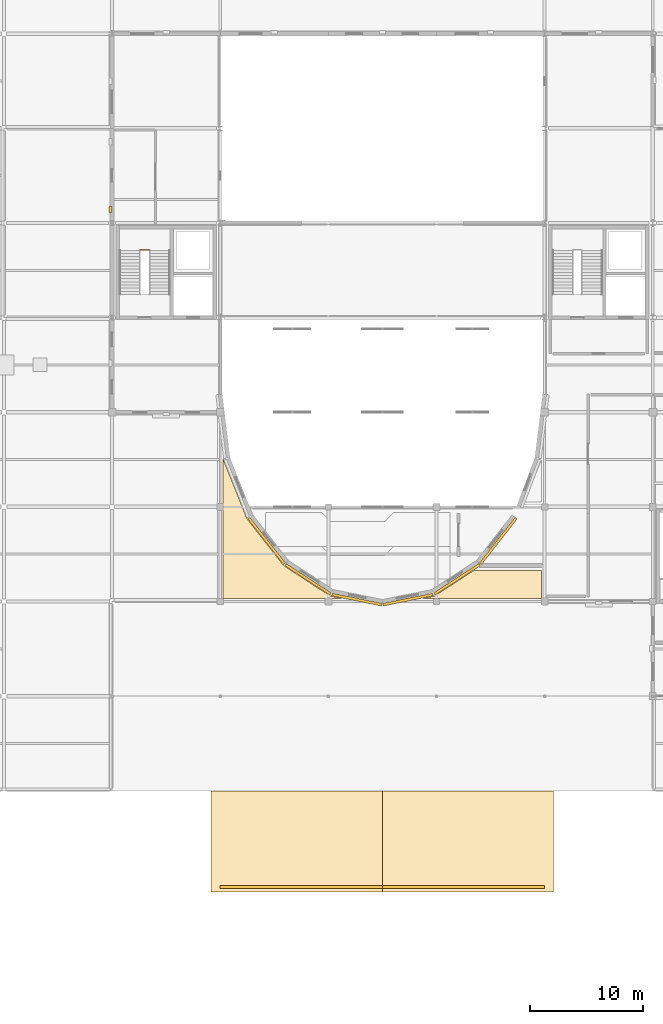
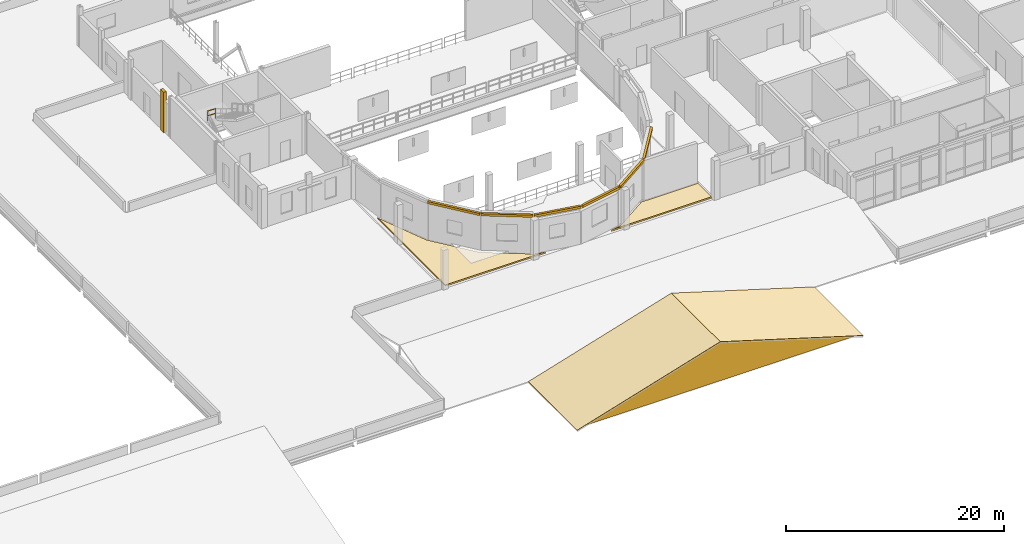
# One storey, part 49 of 52: 12 coverings, 1 railing.
"""IFC4 building model written with IfcOpenShell, lengths in metres."""

import ifcopenshell
import ifcopenshell.guid

model = None  # the IFC model being written
_history = None  # IfcOwnerHistory: only IFC2X3 demands one
_inside = {}  # id of a spatial element -> (the spatial element, [elements in it])
_under = {}  # id of a project, library or spatial element -> (it, [spatial elements below it])
_declared = {}  # id of a project -> (the project, [libraries it declares])
_typed = {}  # id of a type object -> (the type object, [elements of that type])
_made_of = {}  # id of a material, layer set ... -> (it, [elements and type objects made of it])


def new_model(schema):
    """Start an empty IFC model of exactly this schema.

    Asked for "IFC4X3", IfcOpenShell would pick the latest addendum, in which some entities
    have other attributes; the version numbers below select the first issue.
    IFC2X3 requires an IfcOwnerHistory on every rooted entity: one is made here for all.
    """
    global model, _history
    if schema == "IFC4X3":
        model = ifcopenshell.file(schema_version=(4, 3, 0, 0))
    else:
        model = ifcopenshell.file(schema=schema)
    _inside.clear()
    _under.clear()
    _declared.clear()
    _typed.clear()
    _made_of.clear()
    _history = None
    if model.schema == "IFC2X3":
        org = make("IfcOrganization", Name="unknown")
        user = make(
            "IfcPersonAndOrganization",
            ThePerson=make("IfcPerson", FamilyName="unknown"),
            TheOrganization=org,
        )
        app = make(
            "IfcApplication",
            ApplicationDeveloper=org,
            Version="unknown",
            ApplicationFullName="unknown",
            ApplicationIdentifier="unknown",
        )
        _history = make(
            "IfcOwnerHistory",
            OwningUser=user,
            OwningApplication=app,
            ChangeAction="ADDED",
            CreationDate=0,
        )
    return model


def make(cls, **values):
    """One entity of the class cls with the attributes given. An attribute that is None is left unset."""
    return model.create_entity(
        cls, **{name: value for name, value in values.items() if value is not None}
    )


def rooted(cls, **values):
    """An entity with a GlobalId (a new one), such as an element, a storey or a relation."""
    return make(cls, GlobalId=ifcopenshell.guid.new(), OwnerHistory=_history, **values)


def si_unit(unit_type, name, prefix=None):
    """IfcSIUnit, for example si_unit("LENGTHUNIT", "METRE", prefix="MILLI")."""
    return make("IfcSIUnit", UnitType=unit_type, Prefix=prefix, Name=name)


def assignment(units):
    """IfcUnitAssignment: the units of a project."""
    return None if units is None else make("IfcUnitAssignment", Units=units)


def point(xyz):
    """IfcCartesianPoint."""
    return None if xyz is None else make("IfcCartesianPoint", Coordinates=xyz)


def direction(xyz):
    """IfcDirection."""
    return None if xyz is None else make("IfcDirection", DirectionRatios=xyz)


def frame(location, z_axis=None, x_axis=None):
    """IfcAxis2Placement3D, a coordinate frame: its origin and axes. An axis left out is left unset."""
    return make(
        "IfcAxis2Placement3D",
        Location=point(location),
        Axis=direction(z_axis),
        RefDirection=direction(x_axis),
    )


def frame_2d(location, x_axis=None):
    """IfcAxis2Placement2D, a coordinate frame in the plane: its origin and x axis."""
    return make(
        "IfcAxis2Placement2D", Location=point(location), RefDirection=direction(x_axis)
    )


def origin():
    """The frame at (0, 0, 0) with its axes left unset."""
    return frame((0.0, 0.0, 0.0))


def origin_2d():
    """The frame at (0, 0) in the plane with its x axis left unset."""
    return frame_2d((0.0, 0.0))


def place(relative_to, where):
    """IfcLocalPlacement: puts the frame where relative to a parent placement (None: the world)."""
    return make(
        "IfcLocalPlacement", PlacementRelTo=relative_to, RelativePlacement=where
    )


def context(
    kind, dimensions, precision=None, world=None, true_north=None, identifier=None
):
    """IfcGeometricRepresentationContext, for example the 3D "Model" context."""
    return make(
        "IfcGeometricRepresentationContext",
        ContextIdentifier=identifier,
        ContextType=kind,
        CoordinateSpaceDimension=dimensions,
        Precision=precision,
        WorldCoordinateSystem=world,
        TrueNorth=true_north,
    )


def subcontext(parent, identifier, kind, view, scale=None):
    """IfcGeometricRepresentationSubContext, for example "Body" below "Model"."""
    return make(
        "IfcGeometricRepresentationSubContext",
        ContextIdentifier=identifier,
        ContextType=kind,
        ParentContext=parent,
        TargetScale=scale,
        TargetView=view,
    )


def project(units=None, contexts=None):
    """IfcProject with its units and contexts."""
    return rooted(
        "IfcProject",
        Name="project",
        RepresentationContexts=contexts,
        UnitsInContext=assignment(units),
    )


def spatial(cls, under=None, at=None, **own):
    """A site, building, storey or space (cls), placed at a placement, below another one or the project."""
    s = rooted(cls, ObjectPlacement=at, **own)
    if under is not None:
        _under.setdefault(under.id(), (under, []))[1].append(s)
    return s


def polyline(points):
    """IfcPolyline through the points."""
    return make("IfcPolyline", Points=[point(p) for p in points])


def profile(cls, at=None, kind="AREA", **sizes):
    """A parametric profile (cls). Its sizes go by their IFC names, for example OverallWidth=200.0."""
    return make(cls, ProfileType=kind, Position=at, **sizes)


def circle(**sizes):
    """IfcCircleProfileDef."""
    return profile("IfcCircleProfileDef", **sizes)


def outline(outer, holes=None, kind="AREA"):
    """IfcArbitraryClosedProfileDef: a profile drawn as a closed curve; with holes, ...WithVoids."""
    if holes is None:
        return make("IfcArbitraryClosedProfileDef", ProfileType=kind, OuterCurve=outer)
    return make(
        "IfcArbitraryProfileDefWithVoids",
        ProfileType=kind,
        OuterCurve=outer,
        InnerCurves=holes,
    )


def extrude(swept, where, along, depth):
    """IfcExtrudedAreaSolid: the profile swept, set in the frame where, extruded along a direction by depth."""
    return make(
        "IfcExtrudedAreaSolid",
        SweptArea=swept,
        Position=where,
        ExtrudedDirection=direction(along),
        Depth=depth,
    )


def shape(context_of_items, identifier, shape_type, items):
    """IfcShapeRepresentation: the items that make up one representation, for example the "Body"."""
    return make(
        "IfcShapeRepresentation",
        ContextOfItems=context_of_items,
        RepresentationIdentifier=identifier,
        RepresentationType=shape_type,
        Items=items,
    )


def material(Name=None, Category=None):
    """IfcMaterial."""
    return make("IfcMaterial", Name=Name, Category=Category)


def layer(
    of_material, thickness, ventilated=None, Name=None, Category=None, Priority=None
):
    """IfcMaterialLayer: one layer of a wall or slab, of a material (None: an air gap)."""
    return make(
        "IfcMaterialLayer",
        Material=of_material,
        LayerThickness=thickness,
        IsVentilated=ventilated,
        Name=Name,
        Category=Category,
        Priority=Priority,
    )


def layer_set(layers, Name=None):
    """IfcMaterialLayerSet."""
    return make("IfcMaterialLayerSet", MaterialLayers=layers, LayerSetName=Name)


def made_of(thing, what):
    """Note that an element or type object is made of a material, layer set ...; save() writes the relation."""
    if what is not None:
        _made_of.setdefault(what.id(), (what, []))[1].append(thing)
    return thing


def type_object(cls, material=None, **own):
    """A type object (cls), such as IfcWallType, which elements share."""
    return made_of(rooted(cls, **own), material)


def element(
    cls,
    number,
    at=None,
    inside=None,
    cuts=None,
    type_object=None,
    material=None,
    context=None,
    identifier="Body",
    shape_type=None,
    held_by="IfcProductDefinitionShape",
    body=None,
    shapes=None,
    **own,
):
    """One element of the class cls, such as IfcWall. Its Tag is "e" and its number.

    at: its placement. inside: the storey or other place that contains it. cuts: it is an
    opening in that element (IfcRelVoidsElement). A single representation is given by context,
    identifier, shape_type and body (its items); several are given by shapes. held_by: the class
    of the entity that holds the representations. save() writes the other relations.
    """
    e = rooted(cls, Tag="e%d" % number, ObjectPlacement=at, **own)
    if body is not None:
        shapes = [shape(context, identifier, shape_type, body)]
    if shapes is not None:
        e.Representation = make(held_by, Representations=shapes)
    if inside is not None:
        _inside.setdefault(inside.id(), (inside, []))[1].append(e)
    if cuts is not None:
        rooted(
            "IfcRelVoidsElement", RelatingBuildingElement=cuts, RelatedOpeningElement=e
        )
    if type_object is not None:
        _typed.setdefault(type_object.id(), (type_object, []))[1].append(e)
    return made_of(e, material)


def aggregate(whole, parts):
    """IfcRelAggregates: a whole, such as a stair, and the parts it consists of."""
    return rooted("IfcRelAggregates", RelatingObject=whole, RelatedObjects=parts)


def save(model, path):
    """Write the relations noted so far, then the file.

    IfcRelAggregates (storeys below a building ...), IfcRelContainedInSpatialStructure (elements
    in a storey), IfcRelDefinesByType, IfcRelAssociatesMaterial and IfcRelDeclares: one each for
    every whole, place, type object, material and project.
    """
    for whole, parts in _under.values():
        aggregate(whole, parts)
    for where, things in _inside.values():
        rooted(
            "IfcRelContainedInSpatialStructure",
            RelatedElements=things,
            RelatingStructure=where,
        )
    for kind, things in _typed.values():
        rooted("IfcRelDefinesByType", RelatedObjects=things, RelatingType=kind)
    for what, things in _made_of.values():
        rooted("IfcRelAssociatesMaterial", RelatedObjects=things, RelatingMaterial=what)
    for by, libraries in _declared.values():
        rooted("IfcRelDeclares", RelatingContext=by, RelatedDefinitions=libraries)
    model.write(path)


model = new_model("IFC4")

# Units and contexts
model_context = context("Model", 3, precision=1e-05, world=origin(), true_north=direction((0.0, 1.0)))
body_context = subcontext(model_context, "Body", "Model", "MODEL_VIEW")
ifc_project = project(units=[si_unit("LENGTHUNIT", "METRE"), si_unit("AREAUNIT", "SQUARE_METRE"), si_unit("VOLUMEUNIT", "CUBIC_METRE"), si_unit("PLANEANGLEUNIT", "RADIAN"), si_unit("MASSUNIT", "GRAM", prefix="KILO")], contexts=[model_context])

# Site, building, storey
site_placement = place(None, origin())
site = spatial("IfcSite", under=ifc_project, at=site_placement, CompositionType="ELEMENT")
building_placement = place(site_placement, origin())
building = spatial("IfcBuilding", under=site, at=building_placement, Name="Lornevale Opera House", CompositionType="ELEMENT")
storey_placement = place(building_placement, frame((0.0, 0.0, 15.0)))
storey = spatial("IfcBuildingStorey", under=building, at=storey_placement, Name="L04", CompositionType="ELEMENT", Elevation=15.0)

# Coverings
ifc_material_1 = material(Name="Vegetated Extensive Green Roof Assembly")
ifc_layer_1 = layer(ifc_material_1, 0.159912109375)
ifc_layer_set_1 = layer_set([ifc_layer_1], Name="Vegetated Extensive Green Roof Assembly")
covering_type_1 = type_object("IfcCoveringType", Name="Chapter 492 Green Roof Covering", PredefinedType="ROOFING", material=ifc_layer_set_1)
covering_1_placement = place(storey_placement, origin())
element("IfcCovering", 1, at=covering_1_placement, inside=storey, type_object=covering_type_1, Name="Chapter 492 Green Roof Covering 0575", PredefinedType="ROOFING", context=body_context, shape_type="SweptSolid", body=[
    extrude(outline(polyline([(95.739990234375, 33.860107421875), (85.10107421875, 33.860107421875), (86.136962890625, 34.070068359375), (86.14892578125, 34.072021484375), (86.166015625, 34.076904296875), (86.18896484375, 34.083984375), (86.205078125, 34.089111328125), (86.22802734375, 34.09912109375), (86.242919921875, 34.10595703125), (86.264892578125, 34.116943359375), (86.280029296875, 34.1259765625), (86.2900390625, 34.132080078125), (89.7119140625, 36.360107421875), (95.739990234375, 36.360107421875), (95.739990234375, 33.860107421875)])), origin(), (0.0, 0.0, 1.0), 0.159912109375),
])
covering_2_placement = place(storey_placement, origin())
element("IfcCovering", 2, at=covering_2_placement, inside=storey, type_object=covering_type_1, Name="Chapter 492 Green Roof Covering 0577", PredefinedType="ROOFING", context=body_context, shape_type="SweptSolid", body=[
    extrude(outline(polyline([(67.4599609375, 33.860107421875), (67.4599609375, 46.326904296875), (67.468017578125, 46.260009765625), (67.469970703125, 46.2490234375), (67.471923828125, 46.23388671875), (67.47705078125, 46.2119140625), (67.48095703125, 46.197021484375), (67.487060546875, 46.176025390625), (67.491943359375, 46.160888671875), (67.49609375, 46.15087890625), (69.541015625, 41.02197265625), (69.5458984375, 41.010986328125), (69.552978515625, 40.9951171875), (69.56396484375, 40.972900390625), (69.572998046875, 40.9580078125), (69.5859375, 40.93798828125), (69.595947265625, 40.924072265625), (69.60302734375, 40.9140625), (72.7890625, 36.843017578125), (72.799072265625, 36.83203125), (72.81201171875, 36.81689453125), (72.83203125, 36.797119140625), (72.845947265625, 36.782958984375), (72.867919921875, 36.764892578125), (72.884033203125, 36.7529296875), (72.89599609375, 36.7451171875), (76.909912109375, 34.132080078125), (76.919921875, 34.1259765625), (76.93505859375, 34.116943359375), (76.95703125, 34.10595703125), (76.971923828125, 34.09912109375), (76.9951171875, 34.089111328125), (77.010986328125, 34.083984375), (77.033935546875, 34.076904296875), (77.051025390625, 34.072021484375), (77.06298828125, 34.070068359375), (78.09912109375, 33.860107421875), (67.4599609375, 33.860107421875)])), origin(), (0.0, 0.0, 1.0), 0.159912109375),
])
ifc_material_2 = material(Name="Standing-Seam Patinated Copper Roofing", Category="metal")
ifc_layer_2 = layer(ifc_material_2, 0.0400390625)
ifc_layer_set_2 = layer_set([ifc_layer_2], Name="Standing-Seam Patinated Copper Roofing")
covering_type_2 = type_object("IfcCoveringType", Name="Patinated Copper Roof Cladding", PredefinedType="ROOFING", material=ifc_layer_set_2)
covering_3_placement = place(storey_placement, frame((66.39990234375, 7.800048828125, 0.02001953125), z_axis=(-0.290800191654, 0.0, 0.95678380449), x_axis=(0.95678380449, 0.0, 0.290800191654)))
element("IfcCovering", 3, at=covering_3_placement, inside=storey, type_object=covering_type_2, Name="Portico Pediment Copper Cladding 0550", PredefinedType="ROOFING", context=body_context, shape_type="SweptSolid", body=[
    extrude(outline(polyline([(0.0, 0.0), (15.886760667530341, 0.0), (15.886760667530341, 9.0), (0.0, 9.0), (0.0, 0.0)])), origin(), (0.0, 0.0, -1.0), 0.0400390625),
])
covering_4_placement = place(storey_placement, frame((81.60009765625, 7.800048828125, 4.639892578125), z_axis=(0.290804467473, 0.0, 0.956782504908), x_axis=(0.956782504908, 0.0, -0.290804467473)))
element("IfcCovering", 4, at=covering_4_placement, inside=storey, type_object=covering_type_2, Name="Portico Pediment Copper Cladding 0551", PredefinedType="ROOFING", context=body_context, shape_type="SweptSolid", body=[
    extrude(outline(polyline([(0.0, 0.0), (15.886527077892962, 0.0), (15.886527077892962, 9.0), (0.0, 9.0), (0.0, 0.0)])), origin(), (0.0, 0.0, -1.0), 0.0400390625),
])
ifc_material_3 = material(Name="Precast Concrete 40 MPa (CSA A23.1 C-1)", Category="concrete")
ifc_layer_3 = layer(ifc_material_3, 0.260009765625)
ifc_layer_set_3 = layer_set([ifc_layer_3], Name="Precast Concrete 40 MPa (CSA A23.1 C-1)")
covering_type_3 = type_object("IfcCoveringType", Name="Postmodern Sandstone Pilaster Rib", PredefinedType="CLADDING", material=ifc_layer_set_3)
covering_5_placement = place(storey_placement, origin())
element("IfcCovering", 5, at=covering_5_placement, inside=storey, type_object=covering_type_3, Name="Postmodern Sandstone Pilaster 0372", PredefinedType="CLADDING", context=body_context, shape_type="SweptSolid", body=[
    extrude(outline(polyline([(57.60009765625, 68.112060546875), (57.60009765625, 68.672119140625), (57.320068359375, 68.672119140625), (57.320068359375, 68.112060546875), (57.60009765625, 68.112060546875)])), origin(), (0.0, 0.0, 1.0), 4.56005859375),
])
ifc_material_4 = material(Name="Queenston Buff Limestone Ashlar Masonry (25 MPa)", Category="masonry")
ifc_layer_4 = layer(ifc_material_4, 0.1201171875)
ifc_layer_set_4 = layer_set([ifc_layer_4], Name="Queenston Buff Limestone Ashlar Masonry (25 MPa)")
covering_type_4 = type_object("IfcCoveringType", Name="Precast Limestone Cornice Band", PredefinedType="CLADDING", material=ifc_layer_set_4)
covering_6_placement = place(storey_placement, frame((0.0, 0.0, 4.219970703125)))
element("IfcCovering", 6, at=covering_6_placement, inside=storey, type_object=covering_type_4, Name="Drum Limestone Cornice 0534", PredefinedType="CLADDING", context=body_context, shape_type="SweptSolid", body=[
    extrude(outline(polyline([(69.823974609375, 41.071044921875), (72.9951171875, 37.01904296875), (72.81396484375, 36.876953125), (69.64208984375, 40.928955078125), (69.823974609375, 41.071044921875)])), origin(), (0.0, 0.0, 1.0), 0.260009765625),
])
covering_7_placement = place(storey_placement, frame((0.0, 0.0, 4.219970703125)))
element("IfcCovering", 7, at=covering_7_placement, inside=storey, type_object=covering_type_4, Name="Drum Limestone Cornice 0535", PredefinedType="CLADDING", context=body_context, shape_type="SweptSolid", body=[
    extrude(outline(polyline([(73.052978515625, 36.965087890625), (77.047119140625, 34.364990234375), (76.922119140625, 34.172119140625), (72.927978515625, 36.77197265625), (73.052978515625, 36.965087890625)])), origin(), (0.0, 0.0, 1.0), 0.260009765625),
])
covering_8_placement = place(storey_placement, frame((0.0, 0.0, 4.219970703125)))
element("IfcCovering", 8, at=covering_8_placement, inside=storey, type_object=covering_type_4, Name="Drum Limestone Cornice 0536", PredefinedType="CLADDING", context=body_context, shape_type="SweptSolid", body=[
    extrude(outline(polyline([(77.1279296875, 34.33203125), (81.553955078125, 33.43603515625), (81.509033203125, 33.2099609375), (77.08203125, 34.10693359375), (77.1279296875, 34.33203125)])), origin(), (0.0, 0.0, 1.0), 0.260009765625),
])
covering_9_placement = place(storey_placement, frame((0.0, 0.0, 4.219970703125)))
element("IfcCovering", 9, at=covering_9_placement, inside=storey, type_object=covering_type_4, Name="Drum Limestone Cornice 0537", PredefinedType="CLADDING", context=body_context, shape_type="SweptSolid", body=[
    extrude(outline(polyline([(81.64599609375, 33.43603515625), (86.072021484375, 34.33203125), (86.117919921875, 34.10693359375), (81.69091796875, 33.2099609375), (81.64599609375, 33.43603515625)])), origin(), (0.0, 0.0, 1.0), 0.260009765625),
])
covering_10_placement = place(storey_placement, frame((0.0, 0.0, 4.219970703125)))
element("IfcCovering", 10, at=covering_10_placement, inside=storey, type_object=covering_type_4, Name="Drum Limestone Cornice 0538", PredefinedType="CLADDING", context=body_context, shape_type="SweptSolid", body=[
    extrude(outline(polyline([(86.153076171875, 34.364990234375), (90.14697265625, 36.965087890625), (90.27197265625, 36.77197265625), (86.278076171875, 34.172119140625), (86.153076171875, 34.364990234375)])), origin(), (0.0, 0.0, 1.0), 0.260009765625),
])
covering_11_placement = place(storey_placement, frame((0.0, 0.0, 4.219970703125)))
element("IfcCovering", 11, at=covering_11_placement, inside=storey, type_object=covering_type_4, Name="Drum Limestone Cornice 0539", PredefinedType="CLADDING", context=body_context, shape_type="SweptSolid", body=[
    extrude(outline(polyline([(90.205078125, 37.01904296875), (93.3759765625, 41.071044921875), (93.55810546875, 40.928955078125), (90.385986328125, 36.876953125), (90.205078125, 37.01904296875)])), origin(), (0.0, 0.0, 1.0), 0.260009765625),
])
covering_12_placement = place(storey_placement, frame((67.199951171875, 8.39990234375, 0.0), z_axis=(0.0, 1.0, 0.0), x_axis=(0.954480841855, 0.0, 0.298272228898)))
element("IfcCovering", 12, at=covering_12_placement, inside=storey, type_object=covering_type_4, Name="Postmodern Entrance Portico Triangular Pediment Tympanum", PredefinedType="CLADDING", context=body_context, shape_type="SweptSolid", body=[
    extrude(outline(polyline([(0.0, 0.0), (15.08688896928249, 0.0), (27.489094850936407, 8.590254756327415), (0.0, 0.0)])), origin(), (0.0, 0.0, -1.0), 0.280029296875),
])

# Railing
ifc_material_5 = material(Name="Structural Steel CSA G40.21 Grade 350W (350 MPa)", Category="steel")
ifc_layer_5 = layer(ifc_material_5, 0.050048828125)
ifc_layer_set_5 = layer_set([ifc_layer_5], Name="Structural Steel CSA G40.21 Grade 350W (350 MPa)")
railing_type = type_object("IfcRailingType", Name="Stair Well Guardrail 1100", PredefinedType="GUARDRAIL", material=ifc_layer_set_5)
railing_placement = place(storey_placement, frame((60.080078125, 64.81005859375, 2.39990234375)))
element("IfcRailing", 13, at=railing_placement, inside=storey, type_object=railing_type, Name="ST-19 Half-Landing Slot Guard", PredefinedType="GUARDRAIL", context=body_context, shape_type="SweptSolid", body=[
    extrude(circle(Radius=0.02392578125, at=origin_2d()), frame((0.0, 0.0, 1.076171875), z_axis=(1.0, 0.0, 0.0), x_axis=(0.0, 1.0, 0.0)), (0.0, 0.0, 1.0), 0.83984375),
    extrude(circle(Radius=0.02392578125, at=origin_2d()), frame((0.0, 0.0, 0.550048828125), z_axis=(1.0, 0.0, 0.0), x_axis=(0.0, 1.0, 0.0)), (0.0, 0.0, 1.0), 0.83984375),
    extrude(circle(Radius=0.02099609375, at=origin_2d()), origin(), (0.0, 0.0, 1.0), 1.052001953125),
    extrude(circle(Radius=0.02099609375, at=origin_2d()), frame((0.83984375, 0.0, 0.0)), (0.0, 0.0, 1.0), 1.052001953125),
])

save(model, "model.ifc")
